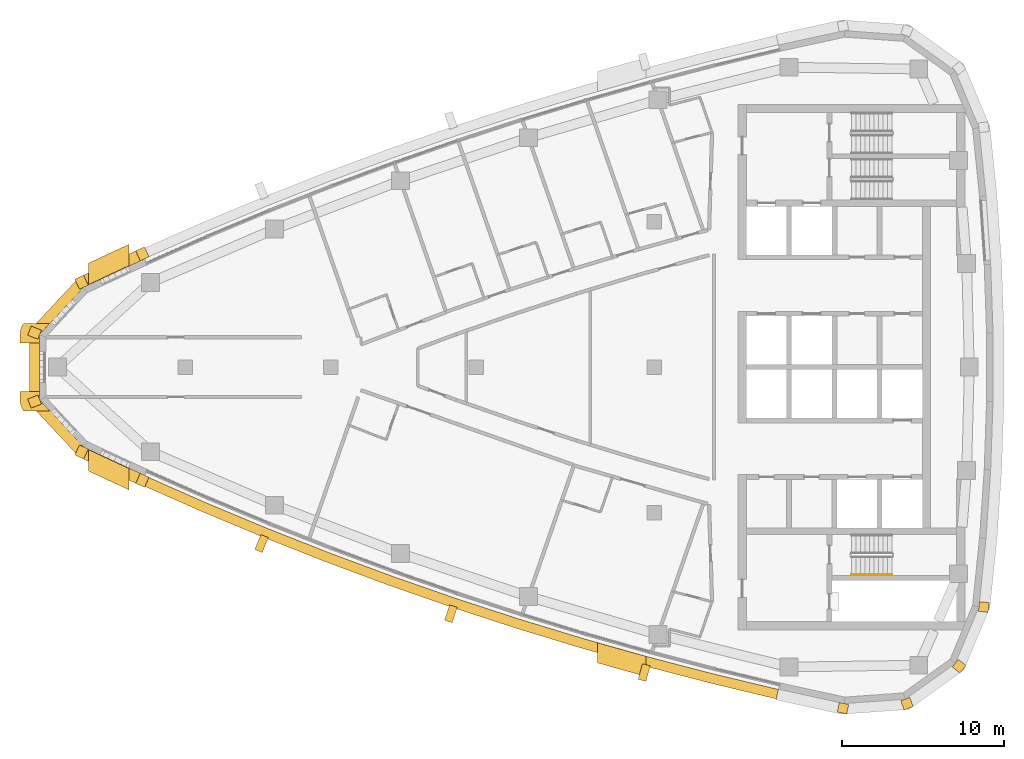
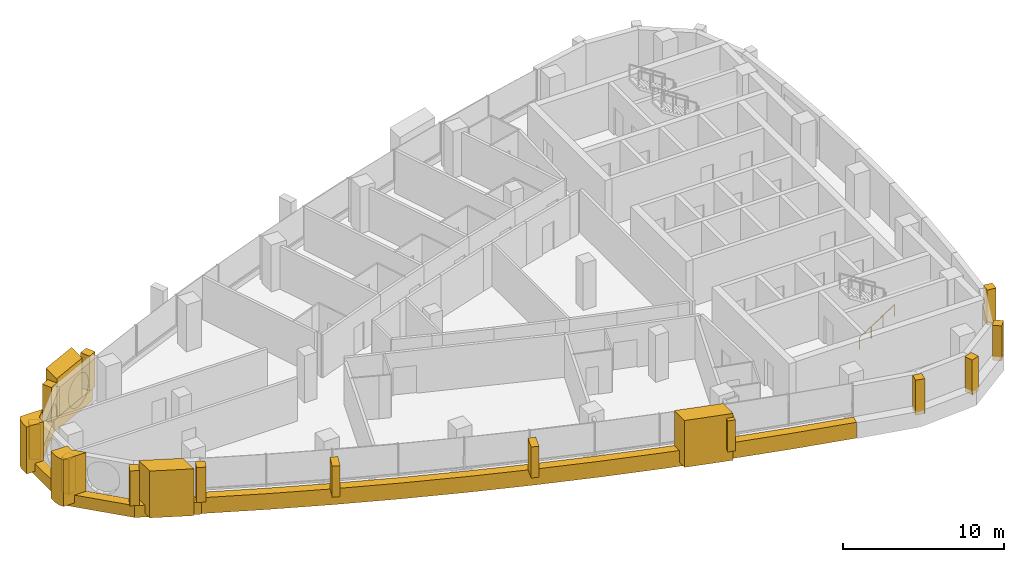
# One storey, part 11 of 14: 20 coverings, 1 railing.
"""IFC4 building model written with IfcOpenShell, lengths in metres."""

from ifc_helpers import new_model, si_unit, direction, frame, frame_2d, origin, origin_2d, place, context, subcontext, project, spatial, polyline, rectangle, circle, outline, extrude, material, layer, layer_set, type_object, element, save


model = new_model("IFC4")

# Units and contexts
model_context = context("Model", 3, precision=1e-05, world=origin(), true_north=direction((0.0, 1.0)))
body_context = subcontext(model_context, "Body", "Model", "MODEL_VIEW")
ifc_project = project(units=[si_unit("LENGTHUNIT", "METRE"), si_unit("AREAUNIT", "SQUARE_METRE"), si_unit("VOLUMEUNIT", "CUBIC_METRE"), si_unit("PLANEANGLEUNIT", "RADIAN"), si_unit("MASSUNIT", "GRAM", prefix="KILO")], contexts=[model_context])

# Site, building, storey
site_placement = place(None, origin())
site = spatial("IfcSite", under=ifc_project, at=site_placement, CompositionType="ELEMENT")
building_placement = place(site_placement, origin())
building = spatial("IfcBuilding", under=site, at=building_placement, Name="Ostrand Prow Hotel Tower", CompositionType="ELEMENT")
storey_placement = place(building_placement, frame((0.0, 0.0, 285.64990234375)))
storey = spatial("IfcBuildingStorey", under=building, at=storey_placement, Name="L72", CompositionType="ELEMENT", Elevation=285.64990234375)

# Coverings
ifc_material_1 = material(Name="Bronze anodised aluminium cladding", Category="aluminium")
ifc_layer_1 = layer(ifc_material_1, 0.60009765625)
ifc_layer_set_1 = layer_set([ifc_layer_1], Name="Bronze anodised aluminium cladding")
covering_type_1 = type_object("IfcCoveringType", Name="Bronze prow band 899x600", PredefinedType="CLADDING", material=ifc_layer_set_1)
covering_1_placement = place(storey_placement, frame((0.0, 0.0, -0.2998046875)))
element("IfcCovering", 1, at=covering_1_placement, inside=storey, type_object=covering_type_1, Name="Bronze prow band", PredefinedType="CLADDING", context=body_context, shape_type="SweptSolid", body=[
    extrude(outline(polyline([(13.195068359375, 7.316162109375), (9.424560546875, 5.559814453125), (6.348388671875, 2.2568359375), (6.348388671875, -2.2568359375), (9.424560546875, -5.559814453125), (13.195068359375, -7.316162109375), (13.47607421875, -6.697021484375), (9.718017578125, -4.9462890625), (6.981201171875, -2.0078125), (6.981201171875, 2.0078125), (9.718017578125, 4.9462890625), (13.47607421875, 6.697021484375), (13.195068359375, 7.316162109375)])), origin(), (0.0, 0.0, 1.0), 0.89990234375),
])
ifc_material_2 = material(Name="Bronze anodised aluminium cladding", Category="aluminium")
ifc_layer_2 = layer(ifc_material_2, 0.60009765625)
ifc_layer_set_2 = layer_set([ifc_layer_2], Name="Bronze anodised aluminium cladding")
covering_type_2 = type_object("IfcCoveringType", Name="Bronze spandrel band 1200x600", PredefinedType="CLADDING", material=ifc_layer_set_2)
covering_2_placement = place(storey_placement, frame((0.0, 0.0, -0.2998046875)))
element("IfcCovering", 2, at=covering_2_placement, inside=storey, type_object=covering_type_2, Name="Spandrel band S1", PredefinedType="CLADDING", context=body_context, shape_type="SweptSolid", body=[
    extrude(outline(polyline([(13.220947265625, -7.25927734375), (17.02490234375, -8.938720703125), (20.86181640625, -10.541748046875), (24.72998046875, -12.067138671875), (28.62841796875, -13.514404296875), (32.5546875, -14.88330078125), (36.508056640625, -16.172607421875), (40.486328125, -17.382568359375), (44.48828125, -18.51220703125), (48.51220703125, -19.56103515625), (52.55615234375, -20.52880859375), (52.68994140625, -19.94384765625), (48.65771484375, -18.97900390625), (44.6455078125, -17.93310546875), (40.6552734375, -16.806884765625), (36.6884765625, -15.6005859375), (32.74658203125, -14.314697265625), (28.83154296875, -12.949951171875), (24.944580078125, -11.5068359375), (21.08740234375, -9.98583984375), (17.26171875, -8.3876953125), (13.468994140625, -6.712890625), (13.220947265625, -7.25927734375)])), origin(), (0.0, 0.0, 1.0), 1.199951171875),
])
ifc_material_3 = material(Name="Limestone cladding", Category="masonry")
ifc_layer_3 = layer(ifc_material_3, 5.0)
ifc_layer_set_3 = layer_set([ifc_layer_3], Name="Limestone cladding")
covering_type_3 = type_object("IfcCoveringType", Name="Portal jamb pilaster limestone", PredefinedType="CLADDING", material=ifc_layer_set_3)
covering_3_placement = place(storey_placement, origin())
element("IfcCovering", 3, at=covering_3_placement, inside=storey, type_object=covering_type_3, Name="Portal jamb SA L72", PredefinedType="CLADDING", context=body_context, shape_type="SweptSolid", body=[
    extrude(outline(polyline([(10.0, -5.10009765625), (10.0, -6.428466796875), (10.833251953125, -6.8203125), (11.666748046875, -7.20751953125), (12.5, -7.590087890625), (12.5, -6.270263671875), (11.666748046875, -5.884765625), (10.833251953125, -5.494873046875), (10.0, -5.10009765625)])), origin(), (0.0, 0.0, 1.0), 3.550048828125),
])
covering_4_placement = place(storey_placement, origin())
element("IfcCovering", 4, at=covering_4_placement, inside=storey, type_object=covering_type_3, Name="Portal jamb SB L72", PredefinedType="CLADDING", context=body_context, shape_type="SweptSolid", body=[
    extrude(outline(polyline([(41.5, -17.052490234375), (41.5, -18.301025390625), (42.5, -18.585205078125), (43.5, -18.86376953125), (44.5, -19.136962890625), (44.5, -17.8935546875), (43.5, -17.61865234375), (42.5, -17.338134765625), (41.5, -17.052490234375)])), origin(), (0.0, 0.0, 1.0), 3.550048828125),
])
covering_5_placement = place(storey_placement, origin())
element("IfcCovering", 5, at=covering_5_placement, inside=storey, type_object=covering_type_3, Name="Portal jamb NA L72", PredefinedType="CLADDING", context=body_context, shape_type="SweptSolid", body=[
    extrude(outline(polyline([(10.0, 5.10009765625), (10.833251953125, 5.494873046875), (11.666748046875, 5.884765625), (12.5, 6.270263671875), (12.5, 7.590087890625), (11.666748046875, 7.20751953125), (10.833251953125, 6.8203125), (10.0, 6.428466796875), (10.0, 5.10009765625)])), origin(), (0.0, 0.0, 1.0), 3.550048828125),
])
ifc_material_4 = material(Name="Limestone cladding", Category="masonry")
ifc_layer_4 = layer(ifc_material_4, 0.5)
ifc_layer_set_4 = layer_set([ifc_layer_4], Name="Limestone cladding")
covering_type_4 = type_object("IfcCoveringType", Name="Precast stone fin 500x900", PredefinedType="CLADDING", material=ifc_layer_set_4)
covering_6_placement = place(storey_placement, frame((20.8994140625, -10.44921875, 0.900146484375), z_axis=(0.0, 0.0, 1.0), x_axis=(-0.376311544034, -0.926493184987, 0.0)))
element("IfcCovering", 6, at=covering_6_placement, inside=storey, type_object=covering_type_4, Name="Stone fin S 3", PredefinedType="CLADDING", context=body_context, shape_type="SweptSolid", body=[
    extrude(rectangle(XDim=0.999755859375, YDim=0.5, at=frame_2d((0.5, 0.0))), origin(), (0.0, 0.0, 1.0), 2.349853515625),
])
for number, where, z_axis, x_axis, name in (
    (7, (32.5869140625, -14.78857421875, 0.900146484375), (0.0, 0.0, 1.0), (-0.319814258793, -0.947480258302, 0.0), "Stone fin S 6"),
    (8, (44.514404296875, -18.41552734375, 0.900146484375), (0.0, 0.0, 1.0), (-0.261960376774, -0.965078629439, 0.0), "Stone fin S 9"),
):
    element("IfcCovering", number, at=place(storey_placement, frame(where, z_axis=z_axis, x_axis=x_axis)), inside=storey, type_object=covering_type_4, Name=name, PredefinedType="CLADDING", context=body_context, shape_type="SweptSolid", body=[
        extrude(rectangle(XDim=1.0, YDim=0.5, at=frame_2d((0.5, 0.0))), origin(), (0.0, 0.0, 1.0), 2.349853515625),
    ])
ifc_material_5 = material(Name="Limestone cladding", Category="masonry")
ifc_layer_5 = layer(ifc_material_5, 0.60009765625)
ifc_layer_set_5 = layer_set([ifc_layer_5], Name="Limestone cladding")
covering_type_5 = type_object("IfcCoveringType", Name="Precast stone prow rib 600x600", PredefinedType="CLADDING", material=ifc_layer_set_5)
covering_7_placement = place(storey_placement, frame((13.47607421875, 6.697021484375, 0.60009765625), z_axis=(0.0, 0.0, 1.0), x_axis=(-0.413288868051, 0.910599973394, 0.0)))
element("IfcCovering", 9, at=covering_7_placement, inside=storey, type_object=covering_type_5, Name="Stone prow rib 1", PredefinedType="CLADDING", context=body_context, shape_type="SweptSolid", body=[
    extrude(rectangle(XDim=0.679931640625, YDim=0.60009765625, at=frame_2d((0.33984375, 0.0))), origin(), (0.0, 0.0, 1.0), 2.64990234375),
])
covering_8_placement = place(storey_placement, frame((9.718017578125, 4.9462890625, 0.60009765625), z_axis=(0.0, 0.0, 1.0), x_axis=(-0.431493603995, 0.902115995707, 0.0)))
element("IfcCovering", 10, at=covering_8_placement, inside=storey, type_object=covering_type_5, Name="Stone prow rib 2", PredefinedType="CLADDING", context=body_context, shape_type="SweptSolid", body=[
    extrude(rectangle(XDim=0.68017578125, YDim=0.60009765625, at=frame_2d((0.340087890625, 0.0))), origin(), (0.0, 0.0, 1.0), 2.64990234375),
])
for number, where, z_axis, x_axis, name in (
    (11, (6.981201171875, 2.0078125, 0.60009765625), (0.0, 0.0, 1.0), (-0.93054188789, 0.366185465142, 0.0), "Stone prow rib 3"),
    (12, (6.981201171875, -2.0078125, 0.60009765625), (0.0, 0.0, 1.0), (-0.93054188789, -0.366185465142, 0.0), "Stone prow rib 4"),
):
    element("IfcCovering", number, at=place(storey_placement, frame(where, z_axis=z_axis, x_axis=x_axis)), inside=storey, type_object=covering_type_5, Name=name, PredefinedType="CLADDING", context=body_context, shape_type="SweptSolid", body=[
        extrude(rectangle(XDim=0.679931640625, YDim=0.60009765625, at=frame_2d((0.33984375, 0.0))), origin(), (0.0, 0.0, 1.0), 2.64990234375),
    ])
covering_9_placement = place(storey_placement, frame((9.718017578125, -4.9462890625, 0.60009765625), z_axis=(0.0, 0.0, 1.0), x_axis=(-0.431493603995, -0.902115995707, 0.0)))
element("IfcCovering", 13, at=covering_9_placement, inside=storey, type_object=covering_type_5, Name="Stone prow rib 5", PredefinedType="CLADDING", context=body_context, shape_type="SweptSolid", body=[
    extrude(rectangle(XDim=0.68017578125, YDim=0.60009765625, at=frame_2d((0.340087890625, 0.0))), origin(), (0.0, 0.0, 1.0), 2.64990234375),
])
covering_10_placement = place(storey_placement, frame((13.47607421875, -6.697021484375, 0.60009765625), z_axis=(0.0, 0.0, 1.0), x_axis=(-0.413288868051, -0.910599973394, 0.0)))
element("IfcCovering", 14, at=covering_10_placement, inside=storey, type_object=covering_type_5, Name="Stone prow rib 6", PredefinedType="CLADDING", context=body_context, shape_type="SweptSolid", body=[
    extrude(rectangle(XDim=0.679931640625, YDim=0.60009765625, at=frame_2d((0.33984375, 0.0))), origin(), (0.0, 0.0, 1.0), 2.64990234375),
])
covering_11_placement = place(storey_placement, frame((56.744384765625, -20.810546875, 0.60009765625), z_axis=(0.0, 0.0, 1.0), x_axis=(-0.203385687349, -0.979098698897, 0.0)))
element("IfcCovering", 15, at=covering_11_placement, inside=storey, type_object=covering_type_5, Name="Stone corner rib 2a", PredefinedType="CLADDING", context=body_context, shape_type="SweptSolid", body=[
    extrude(rectangle(XDim=0.60009765625, YDim=0.60009765625, at=frame_2d((0.300048828125, 0.0))), origin(), (0.0, 0.0, 1.0), 2.64990234375),
])
for number, where, z_axis, x_axis, name in (
    (16, (60.540283203125, -20.539794921875, 0.60009765625), (0.0, 0.0, 1.0), (0.340664419472, -0.940184956966, 0.0), "Stone corner rib 3a"),
    (17, (63.630615234375, -18.318359375, 0.60009765625), (0.0, 0.0, 1.0), (0.782731736812, -0.622359243674, 0.0), "Stone corner rib 4a"),
):
    element("IfcCovering", number, at=place(storey_placement, frame(where, z_axis=z_axis, x_axis=x_axis)), inside=storey, type_object=covering_type_5, Name=name, PredefinedType="CLADDING", context=body_context, shape_type="SweptSolid", body=[
        extrude(rectangle(XDim=0.599853515625, YDim=0.60009765625, at=frame_2d((0.2998046875, 0.0))), origin(), (0.0, 0.0, 1.0), 2.64990234375),
    ])
covering_12_placement = place(storey_placement, frame((65.0966796875, -14.806396484375, 0.60009765625), z_axis=(0.0, 0.0, 1.0), x_axis=(0.992867207971, -0.119225447515, 0.0)))
element("IfcCovering", 18, at=covering_12_placement, inside=storey, type_object=covering_type_5, Name="Stone corner rib 4b", PredefinedType="CLADDING", context=body_context, shape_type="SweptSolid", body=[
    extrude(rectangle(XDim=0.60009765625, YDim=0.60009765625, at=frame_2d((0.300048828125, 0.0))), origin(), (0.0, 0.0, 1.0), 2.64990234375),
])
ifc_material_6 = material(Name="Limestone cladding", Category="masonry")
ifc_layer_6 = layer(ifc_material_6, 3.0)
ifc_layer_set_6 = layer_set([ifc_layer_6], Name="Limestone cladding")
covering_type_6 = type_object("IfcCoveringType", Name="Prow nose pier limestone", PredefinedType="CLADDING", material=ifc_layer_set_6)
covering_13_placement = place(storey_placement, origin())
element("IfcCovering", 19, at=covering_13_placement, inside=storey, type_object=covering_type_6, Name="Prow spine fin N L72", PredefinedType="CLADDING", context=body_context, shape_type="SweptSolid", body=[
    extrude(outline(polyline([(5.764892578125, 2.01416015625), (5.764892578125, 1.5), (6.96484375, 1.5), (6.96484375, 2.01416015625), (7.603515625, 2.699951171875), (5.981689453125, 2.699951171875), (5.94970703125, 2.654052734375), (5.894287109375, 2.55615234375), (5.84814453125, 2.45361328125), (5.81201171875, 2.34716796875), (5.785888671875, 2.23779296875), (5.77001953125, 2.12646484375), (5.764892578125, 2.01416015625)])), origin(), (0.0, 0.0, 1.0), 3.550048828125),
])
covering_14_placement = place(storey_placement, origin())
element("IfcCovering", 20, at=covering_14_placement, inside=storey, type_object=covering_type_6, Name="Prow spine fin S L72", PredefinedType="CLADDING", context=body_context, shape_type="SweptSolid", body=[
    extrude(outline(polyline([(5.94970703125, -2.654052734375), (5.981689453125, -2.699951171875), (7.603515625, -2.699951171875), (6.96484375, -2.01416015625), (6.96484375, -1.5), (5.764892578125, -1.5), (5.764892578125, -2.01416015625), (5.77001953125, -2.12646484375), (5.785888671875, -2.23779296875), (5.81201171875, -2.34716796875), (5.84814453125, -2.45361328125), (5.894287109375, -2.55615234375), (5.94970703125, -2.654052734375)])), origin(), (0.0, 0.0, 1.0), 3.550048828125),
])

# Railing
ifc_material_7 = material(Name="Stainless steel", Category="steel")
railing_type = type_object("IfcRailingType", Name="Stair handrail 900", PredefinedType="HANDRAIL", material=ifc_material_7)
railing_placement = place(storey_placement, frame((57.199951171875, -12.85009765625, 0.177490234375)))
element("IfcRailing", 21, at=railing_placement, inside=storey, type_object=railing_type, Name="L72 ST2C stair handrail 1", PredefinedType="HANDRAIL", context=body_context, shape_type="SweptSolid", body=[
    extrude(circle(Radius=0.02392578125, at=origin_2d()), frame((0.0, 0.0, 0.8759765625), z_axis=(0.84456994832, 0.0, 0.535445237532), x_axis=(0.0, 1.0, 0.0)), (0.0, 0.0, 1.0), 2.98388671875),
    extrude(circle(Radius=0.02099609375, at=origin_2d()), origin(), (0.0, 0.0, 1.0), 0.851806640625),
    extrude(circle(Radius=0.02099609375, at=origin_2d()), frame((0.840087890625, 0.0, 0.532470703125)), (0.0, 0.0, 1.0), 0.851806640625),
    extrude(circle(Radius=0.02099609375, at=origin_2d()), frame((1.679931640625, 0.0, 1.065185546875)), (0.0, 0.0, 1.0), 0.851806640625),
    extrude(circle(Radius=0.02099609375, at=origin_2d()), frame((2.52001953125, 0.0, 1.59765625)), (0.0, 0.0, 1.0), 0.851806640625),
])

save(model, "model.ifc")
